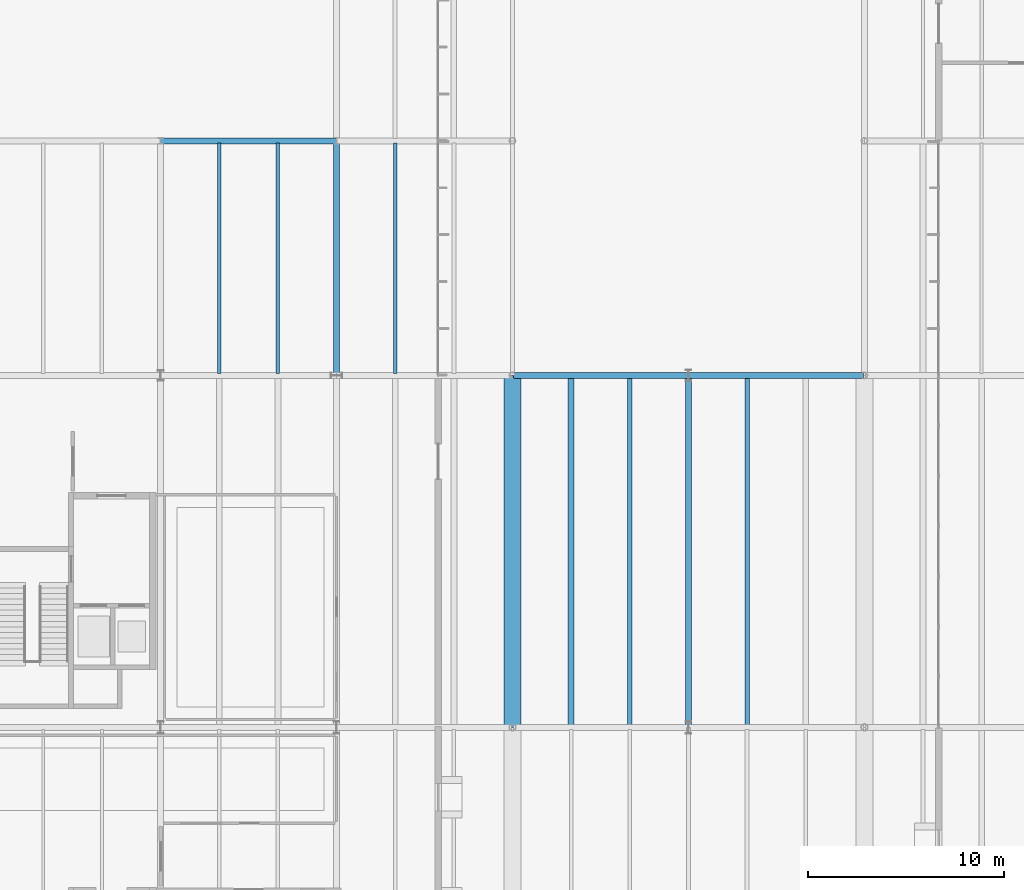
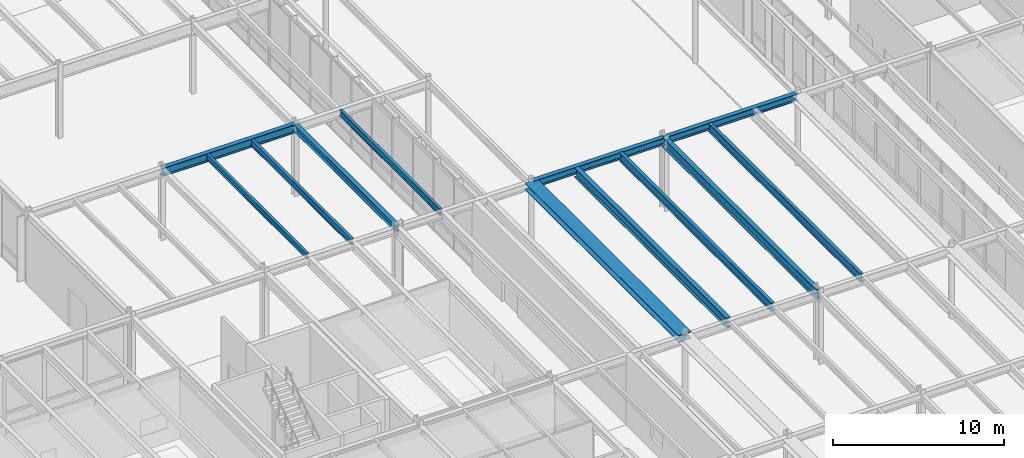
# One storey, part 41 of 143: 12 beams.
"""IFC4 building model written with IfcOpenShell, lengths in metres."""

from ifc_helpers import new_model, si_unit, direction, frame, origin, origin_2d, place, context, subcontext, project, spatial, i_section, extrude, material, material_profile, profile_set, type_object, element, save


model = new_model("IFC4")

# Units and contexts
model_context = context("Model", 3, precision=1e-05, world=origin(), true_north=direction((0.0, 1.0)))
body_context = subcontext(model_context, "Body", "Model", "MODEL_VIEW")
ifc_project = project(units=[si_unit("LENGTHUNIT", "METRE"), si_unit("AREAUNIT", "SQUARE_METRE"), si_unit("VOLUMEUNIT", "CUBIC_METRE"), si_unit("PLANEANGLEUNIT", "RADIAN"), si_unit("MASSUNIT", "GRAM", prefix="KILO")], contexts=[model_context])

# Site, building, storey
site_placement = place(None, origin())
site = spatial("IfcSite", under=ifc_project, at=site_placement, CompositionType="ELEMENT")
building_placement = place(site_placement, origin())
building = spatial("IfcBuilding", under=site, at=building_placement, Name="Montelvaro Courts of Justice", CompositionType="ELEMENT")
storey_placement = place(building_placement, origin())
storey = spatial("IfcBuildingStorey", under=building, at=storey_placement, Name="L00", CompositionType="ELEMENT", Elevation=0.0)

# Beams
ifc_material = material(Name="Steel S355", Category="steel")
ifc_material_profile_1 = material_profile(ifc_material, i_section(OverallWidth=0.300048828125, OverallDepth=0.489990234375, WebThickness=0.011962890625, FlangeThickness=0.02294921875, at=origin_2d()), Name="HEA 500")
ifc_profile_set_1 = profile_set([ifc_material_profile_1], Name="Steel S355")
beam_type_1 = type_object("IfcBeamType", Name="Beam_HEA500", PredefinedType="USERDEFINED", material=ifc_profile_set_1)
beam_1_placement = place(storey_placement, frame((72.0, 42.0, 4.875), z_axis=(0.0, 1.0, 0.0), x_axis=(-1.0, 0.0, 0.0)))
element("IfcBeam", 1, at=beam_1_placement, inside=storey, type_object=beam_type_1, Name="Beam B-19 L00", ObjectType="GIRDER", PredefinedType="USERDEFINED", context=body_context, shape_type="SweptSolid", body=[
    extrude(i_section(OverallWidth=0.300048828125, OverallDepth=0.489990234375, WebThickness=0.011962890625, FlangeThickness=0.02294921875, at=origin_2d()), origin(), (0.0, 0.0, 1.0), 12.0),
])
ifc_material_profile_2 = material_profile(ifc_material, i_section(OverallWidth=0.300048828125, OverallDepth=0.68994140625, WebThickness=0.014404296875, FlangeThickness=0.027099609375, at=origin_2d()), Name="HEA 700")
ifc_profile_set_2 = profile_set([ifc_material_profile_2], Name="Steel S355")
beam_type_2 = type_object("IfcBeamType", Name="Beam_HEA700", PredefinedType="USERDEFINED", material=ifc_profile_set_2)
beam_2_placement = place(storey_placement, frame((84.0, 24.110107421875, 4.794921875), z_axis=(0.0, 1.0, 0.0), x_axis=(-1.0, 0.0, 0.0)))
element("IfcBeam", 2, at=beam_2_placement, inside=storey, type_object=beam_type_2, Name="Beam B-23 L00", ObjectType="GIRDER", PredefinedType="USERDEFINED", context=body_context, shape_type="SweptSolid", body=[
    extrude(i_section(OverallWidth=0.300048828125, OverallDepth=0.68994140625, WebThickness=0.014404296875, FlangeThickness=0.027099609375, at=origin_2d()), origin(), (0.0, 0.0, 1.0), 17.77978515625),
])
ifc_material_profile_3 = material_profile(ifc_material, i_section(OverallWidth=0.300048828125, OverallDepth=0.5, WebThickness=0.014404296875, FlangeThickness=0.028076171875, at=origin_2d()), Name="HEB 500")
ifc_profile_set_3 = profile_set([ifc_material_profile_3], Name="Steel S355")
beam_type_3 = type_object("IfcBeamType", Name="Beam_HEB500", PredefinedType="USERDEFINED", material=ifc_profile_set_3)
for number, where, z_axis, x_axis, name in (
    (3, (81.050048828125, 42.0, 4.889892578125), (1.0, 0.0, 0.0), (0.0, 1.0, 0.0), "Beam B-25 L00"),
    (4, (90.0, 42.0, 4.889892578125), (1.0, 0.0, 0.0), (0.0, 1.0, 0.0), "Beam B-25 L00"),
):
    element("IfcBeam", number, at=place(storey_placement, frame(where, z_axis=z_axis, x_axis=x_axis)), inside=storey, type_object=beam_type_3, Name=name, ObjectType="GIRDER", PredefinedType="USERDEFINED", context=body_context, shape_type="SweptSolid", body=[
        extrude(i_section(OverallWidth=0.300048828125, OverallDepth=0.5, WebThickness=0.014404296875, FlangeThickness=0.028076171875, at=origin_2d()), origin(), (0.0, 0.0, 1.0), 8.949951171875),
    ])
ifc_material_profile_4 = material_profile(ifc_material, i_section(OverallWidth=0.300048828125, OverallDepth=0.60009765625, WebThickness=0.015380859375, FlangeThickness=0.030029296875, at=origin_2d()), Name="HEB 600")
ifc_profile_set_4 = profile_set([ifc_material_profile_4], Name="Steel S355")
beam_type_4 = type_object("IfcBeamType", Name="Beam_HEB600", PredefinedType="USERDEFINED", material=ifc_profile_set_4)
beam_3_placement = place(storey_placement, frame((63.0, 54.0, 4.820068359375), z_axis=(1.0, 0.0, 0.0), x_axis=(0.0, 1.0, 0.0)))
element("IfcBeam", 5, at=beam_3_placement, inside=storey, type_object=beam_type_4, Name="Beam B-26 L00", ObjectType="GIRDER", PredefinedType="USERDEFINED", context=body_context, shape_type="SweptSolid", body=[
    extrude(i_section(OverallWidth=0.300048828125, OverallDepth=0.60009765625, WebThickness=0.015380859375, FlangeThickness=0.030029296875, at=origin_2d()), origin(), (0.0, 0.0, 1.0), 9.0),
])
ifc_material_profile_5 = material_profile(ifc_material, i_section(OverallWidth=0.300048828125, OverallDepth=0.699951171875, WebThickness=0.01708984375, FlangeThickness=0.031982421875, at=origin_2d()), Name="HEB 700")
ifc_profile_set_5 = profile_set([ifc_material_profile_5], Name="Steel S355")
beam_type_5 = type_object("IfcBeamType", Name="Beam_HEB700", PredefinedType="USERDEFINED", material=ifc_profile_set_5)
beam_4_placement = place(storey_placement, frame((90.0, 24.0, 4.7900390625), z_axis=(0.0, 1.0, 0.0), x_axis=(-1.0, 0.0, 0.0)))
element("IfcBeam", 6, at=beam_4_placement, inside=storey, type_object=beam_type_5, Name="Beam B-28 L00", ObjectType="GIRDER", PredefinedType="USERDEFINED", context=body_context, shape_type="SweptSolid", body=[
    extrude(i_section(OverallWidth=0.300048828125, OverallDepth=0.699951171875, WebThickness=0.01708984375, FlangeThickness=0.031982421875, at=origin_2d()), origin(), (0.0, 0.0, 1.0), 18.0),
])
ifc_material_profile_6 = material_profile(ifc_material, i_section(OverallWidth=0.179931640625, OverallDepth=0.39990234375, WebThickness=0.008544921875, FlangeThickness=0.013427734375, at=origin_2d()), Name="IPE 400")
ifc_profile_set_6 = profile_set([ifc_material_profile_6], Name="Steel S355")
beam_type_6 = type_object("IfcBeamType", Name="Beam_IPE400", PredefinedType="BEAM", material=ifc_profile_set_6)
beam_5_placement = place(storey_placement, frame((66.0, 42.110107421875, 4.919921875), z_axis=(0.0, 1.0, 0.0), x_axis=(-1.0, 0.0, 0.0)))
element("IfcBeam", 7, at=beam_5_placement, inside=storey, type_object=beam_type_6, Name="Beam B-08 L00", PredefinedType="BEAM", context=body_context, shape_type="SweptSolid", body=[
    extrude(i_section(OverallWidth=0.179931640625, OverallDepth=0.39990234375, WebThickness=0.008544921875, FlangeThickness=0.013427734375, at=origin_2d()), origin(), (0.0, 0.0, 1.0), 11.77978515625),
])
ifc_material_profile_7 = material_profile(ifc_material, i_section(OverallWidth=0.18994140625, OverallDepth=0.449951171875, WebThickness=0.009521484375, FlangeThickness=0.0146484375, at=origin_2d()), Name="IPE 450")
ifc_profile_set_7 = profile_set([ifc_material_profile_7], Name="Steel S355")
beam_type_7 = type_object("IfcBeamType", Name="Beam_IPE450", PredefinedType="BEAM", material=ifc_profile_set_7)
for number, where, z_axis, x_axis, name in (
    (8, (69.0, 42.110107421875, 4.89501953125), (0.0, 1.0, 0.0), (-1.0, 0.0, 0.0), "Beam B-09 L00"),
    (9, (75.0, 42.110107421875, 4.89501953125), (0.0, 1.0, 0.0), (-1.0, 0.0, 0.0), "Beam B-09 L00"),
):
    element("IfcBeam", number, at=place(storey_placement, frame(where, z_axis=z_axis, x_axis=x_axis)), inside=storey, type_object=beam_type_7, Name=name, PredefinedType="BEAM", context=body_context, shape_type="SweptSolid", body=[
        extrude(i_section(OverallWidth=0.18994140625, OverallDepth=0.449951171875, WebThickness=0.009521484375, FlangeThickness=0.0146484375, at=origin_2d()), origin(), (0.0, 0.0, 1.0), 11.77978515625),
    ])
ifc_material_profile_8 = material_profile(ifc_material, i_section(OverallWidth=0.219970703125, OverallDepth=0.60009765625, WebThickness=0.011962890625, FlangeThickness=0.01904296875, at=origin_2d()), Name="IPE 600")
ifc_profile_set_8 = profile_set([ifc_material_profile_8], Name="Steel S355")
beam_type_8 = type_object("IfcBeamType", Name="Beam_IPE600", PredefinedType="USERDEFINED", material=ifc_profile_set_8)
for number, where, z_axis, x_axis, name in (
    (10, (87.0, 24.110107421875, 4.840087890625), (0.0, 1.0, 0.0), (-1.0, 0.0, 0.0), "Beam B-12 L00"),
    (11, (93.0, 24.110107421875, 4.840087890625), (0.0, 1.0, 0.0), (-1.0, 0.0, 0.0), "Beam B-12 L00"),
):
    element("IfcBeam", number, at=place(storey_placement, frame(where, z_axis=z_axis, x_axis=x_axis)), inside=storey, type_object=beam_type_8, Name=name, ObjectType="GIRDER", PredefinedType="USERDEFINED", context=body_context, shape_type="SweptSolid", body=[
        extrude(i_section(OverallWidth=0.219970703125, OverallDepth=0.60009765625, WebThickness=0.011962890625, FlangeThickness=0.01904296875, at=origin_2d()), origin(), (0.0, 0.0, 1.0), 17.77978515625),
    ])
ifc_material_profile_9 = material_profile(ifc_material, i_section(OverallWidth=0.860107421875, OverallDepth=0.47998046875, WebThickness=0.02001953125, FlangeThickness=0.031982421875, at=origin_2d()), Name="HL 480x860")
ifc_profile_set_9 = profile_set([ifc_material_profile_9], Name="Steel S355")
beam_type_9 = type_object("IfcBeamType", Name="Beam_MJSeat_860", PredefinedType="USERDEFINED", material=ifc_profile_set_9)
beam_6_placement = place(storey_placement, frame((81.0, 24.0, 4.8798828125), z_axis=(0.0, 1.0, 0.0), x_axis=(-1.0, 0.0, 0.0)))
element("IfcBeam", 12, at=beam_6_placement, inside=storey, type_object=beam_type_9, Name="Beam BC-01 L00", ObjectType="GIRDER", PredefinedType="USERDEFINED", context=body_context, shape_type="SweptSolid", body=[
    extrude(i_section(OverallWidth=0.860107421875, OverallDepth=0.47998046875, WebThickness=0.02001953125, FlangeThickness=0.031982421875, at=origin_2d()), origin(), (0.0, 0.0, 1.0), 18.0),
])

save(model, "model.ifc")
